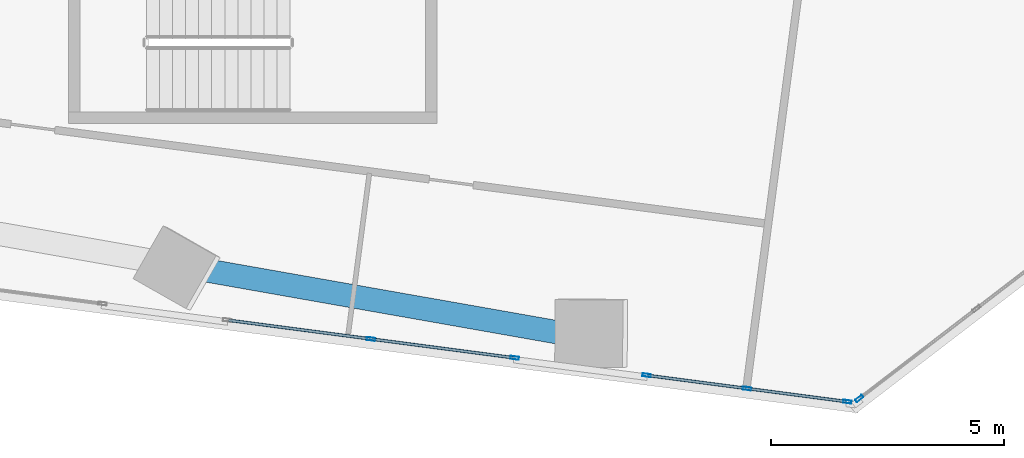
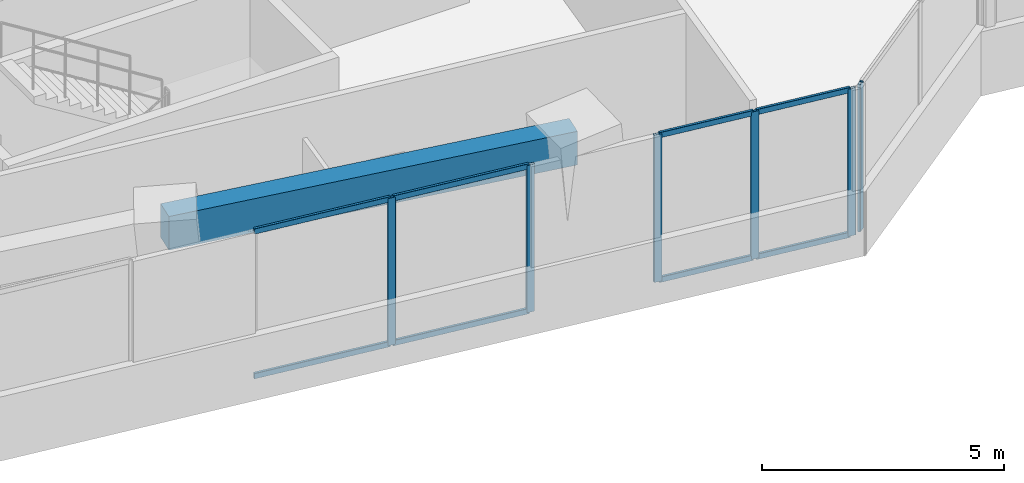
# One storey, part 4 of 24: 14 members, 1 beam, 3 elements without a shape of their own.
"""IFC4 building model written with IfcOpenShell, lengths in metres."""

from ifc_helpers import new_model, si_unit, direction, frame, origin, origin_2d, place, context, subcontext, project, spatial, rectangle, hollow_rectangle, extrude, source, transform, mapped, material, material_profile, profile_set, type_object, element, aggregate, save


model = new_model("IFC4")

# Units and contexts
model_context = context("Model", 3, precision=1e-05, world=origin(), true_north=direction((0.0, 1.0)))
body_context = subcontext(model_context, "Body", "Model", "MODEL_VIEW")
ifc_project = project(units=[si_unit("LENGTHUNIT", "METRE"), si_unit("AREAUNIT", "SQUARE_METRE"), si_unit("VOLUMEUNIT", "CUBIC_METRE"), si_unit("PLANEANGLEUNIT", "RADIAN"), si_unit("MASSUNIT", "GRAM", prefix="KILO")], contexts=[model_context])

# Site, building, storey
site_placement = place(None, origin())
site = spatial("IfcSite", under=ifc_project, at=site_placement, CompositionType="ELEMENT")
building_placement = place(site_placement, origin())
building = spatial("IfcBuilding", under=site, at=building_placement, Name="Torre Montelarca", CompositionType="ELEMENT")
storey_placement = place(building_placement, frame((0.0, 0.0, 70.60009765625)))
storey = spatial("IfcBuildingStorey", under=building, at=storey_placement, Name="L15", CompositionType="ELEMENT", Elevation=70.60009765625)

# Beam
ifc_material_1 = material(Name="Concrete C55/67", Category="concrete")
ifc_material_profile_1 = material_profile(ifc_material_1, rectangle(XDim=0.5, YDim=0.85009765625, at=origin_2d()), Name="RCB500X850", Category="concrete")
ifc_profile_set_1 = profile_set([ifc_material_profile_1], Name="Concrete C55/67")
beam_type = type_object("IfcBeamType", Name="BM-SP-RC850-EXT", PredefinedType="SPANDREL", material=ifc_profile_set_1)
shared_shape_1 = source(origin(), body_context, "Body", "SweptSolid", [
    extrude(rectangle(XDim=0.5, YDim=0.85009765625, at=origin_2d()), origin(), (0.0, 0.0, 1.0), 9.0),
])
beam_placement = place(storey_placement, frame((15.06640625, 15.669189453125, 3.534912109375), z_axis=(0.98480485219, -0.173664628243, 0.0), x_axis=(0.173664628243, 0.98480485219, 0.0)))
element("IfcBeam", 1, at=beam_placement, inside=storey, type_object=beam_type, Name="L15 Grid Girder X 18.0-27.0 at Y=14.8", PredefinedType="SPANDREL", context=body_context, shape_type="MappedRepresentation", body=[
    mapped(shared_shape_1, transform((0.0, 0.0, 0.0), scale=1.0)),
])

# Curtain wall, members
ifc_material_2 = material(Name="Insulated low-E laminated glass", Category="glass")
curtain_wall_type = type_object("IfcCurtainWallType", Name="CW-SYS-Z1", PredefinedType="USERDEFINED", material=ifc_material_2)
curtain_wall_1_placement = place(storey_placement, origin())
curtain_wall_1 = element("IfcCurtainWall", 2, at=curtain_wall_1_placement, inside=storey, type_object=curtain_wall_type, Name="L15 Curtain Wall Run CW-T3-L15-E01-B2", ObjectType="UNITISED GLAZING", PredefinedType="USERDEFINED")
ifc_material_3 = material(Name="Anodised aluminium AA 6063-T6", Category="aluminium")
ifc_material_profile_2 = material_profile(ifc_material_3, hollow_rectangle(XDim=0.06494140625, YDim=0.139892578125, WallThickness=0.00390625, InnerFilletRadius=0.00390625, OuterFilletRadius=0.008056640625, at=origin_2d()), Name="ALU65X140X4", Category="aluminium")
ifc_profile_set_2 = profile_set([ifc_material_profile_2], Name="Anodised aluminium AA 6063-T6")
member_type_1 = type_object("IfcMemberType", Name="CWT-ALU140", PredefinedType="USERDEFINED", material=ifc_profile_set_2)
shared_shape_2 = source(origin(), body_context, "Body", "SweptSolid", [
    extrude(hollow_rectangle(XDim=0.06494140625, YDim=0.139892578125, WallThickness=0.00390625, InnerFilletRadius=0.00390625, OuterFilletRadius=0.008056640625, at=origin_2d()), origin(), (0.0, 0.0, 1.0), 3.04443359375),
])
member_1_placement = place(storey_placement, frame((19.56787109375, 14.028564453125, 0.032470703125), z_axis=(0.991440915533, -0.130556160357, 0.0), x_axis=(0.130556160357, 0.991440915533, 0.0)))
member_1 = element("IfcMember", 3, at=member_1_placement, type_object=member_type_1, Name="CW transom 2.1", ObjectType="TRANSOM", PredefinedType="USERDEFINED", context=body_context, shape_type="MappedRepresentation", body=[
    mapped(shared_shape_2, transform((0.0, 0.0, 0.0), scale=1.0)),
])
member_2_placement = place(storey_placement, frame((19.56787109375, 14.028564453125, 3.6875), z_axis=(0.991440915533, -0.130556160357, 0.0), x_axis=(0.130556160357, 0.991440915533, 0.0)))
member_2 = element("IfcMember", 4, at=member_2_placement, type_object=member_type_1, Name="CW transom 2.2", ObjectType="TRANSOM", PredefinedType="USERDEFINED", context=body_context, shape_type="MappedRepresentation", body=[
    mapped(shared_shape_2, transform((0.0, 0.0, 0.0), scale=1.0)),
])

curtain_wall_2_placement = place(storey_placement, origin())
curtain_wall_2 = element("IfcCurtainWall", 5, at=curtain_wall_2_placement, inside=storey, type_object=curtain_wall_type, Name="L15 Curtain Wall Run CW-T3-L15-E01-B3", ObjectType="UNITISED GLAZING", PredefinedType="USERDEFINED")
shared_shape_3 = source(origin(), body_context, "Body", "SweptSolid", [
    extrude(hollow_rectangle(XDim=0.06494140625, YDim=0.139892578125, WallThickness=0.00390625, InnerFilletRadius=0.00390625, OuterFilletRadius=0.008056640625, at=origin_2d()), origin(), (0.0, 0.0, 1.0), 2.10546875),
])
member_3_placement = place(storey_placement, frame((25.480224609375, 13.25, 0.032470703125), z_axis=(0.991454295543, -0.130454512571, 0.0), x_axis=(0.130454512571, 0.991454295543, 0.0)))
member_3 = element("IfcMember", 6, at=member_3_placement, type_object=member_type_1, Name="CW transom 1.1", ObjectType="TRANSOM", PredefinedType="USERDEFINED", context=body_context, shape_type="MappedRepresentation", body=[
    mapped(shared_shape_3, transform((0.0, 0.0, 0.0), scale=1.0)),
])
member_4_placement = place(storey_placement, frame((25.480224609375, 13.25, 3.6875), z_axis=(0.991454295543, -0.130454512571, 0.0), x_axis=(0.130454512571, 0.991454295543, 0.0)))
member_4 = element("IfcMember", 7, at=member_4_placement, type_object=member_type_1, Name="CW transom 1.2", ObjectType="TRANSOM", PredefinedType="USERDEFINED", context=body_context, shape_type="MappedRepresentation", body=[
    mapped(shared_shape_3, transform((0.0, 0.0, 0.0), scale=1.0)),
])
shared_shape_4 = source(origin(), body_context, "Body", "SweptSolid", [
    extrude(hollow_rectangle(XDim=0.06494140625, YDim=0.139892578125, WallThickness=0.00390625, InnerFilletRadius=0.00390625, OuterFilletRadius=0.008056640625, at=origin_2d()), origin(), (0.0, 0.0, 1.0), 2.105224609375),
])
member_5_placement = place(storey_placement, frame((27.632080078125, 12.966796875, 0.032470703125), z_axis=(0.991452321758, -0.130469512455, 0.0), x_axis=(0.130469512455, 0.991452321758, 0.0)))
member_5 = element("IfcMember", 8, at=member_5_placement, type_object=member_type_1, Name="CW transom 2.1", ObjectType="TRANSOM", PredefinedType="USERDEFINED", context=body_context, shape_type="MappedRepresentation", body=[
    mapped(shared_shape_4, transform((0.0, 0.0, 0.0), scale=1.0)),
])
member_6_placement = place(storey_placement, frame((27.632080078125, 12.966796875, 3.6875), z_axis=(0.991452321758, -0.130469512455, 0.0), x_axis=(0.130469512455, 0.991452321758, 0.0)))
member_6 = element("IfcMember", 9, at=member_6_placement, type_object=member_type_1, Name="CW transom 2.2", ObjectType="TRANSOM", PredefinedType="USERDEFINED", context=body_context, shape_type="MappedRepresentation", body=[
    mapped(shared_shape_4, transform((0.0, 0.0, 0.0), scale=1.0)),
])

# Member
ifc_material_profile_3 = material_profile(ifc_material_3, hollow_rectangle(XDim=0.06494140625, YDim=0.179931640625, WallThickness=0.00390625, InnerFilletRadius=0.00390625, OuterFilletRadius=0.008056640625, at=origin_2d()), Name="ALU65X180X4", Category="aluminium")
ifc_profile_set_3 = profile_set([ifc_material_profile_3], Name="Anodised aluminium AA 6063-T6")
member_type_2 = type_object("IfcMemberType", Name="CWM-ALU180", PredefinedType="MULLION", material=ifc_profile_set_3)
shared_shape_5 = source(origin(), body_context, "Body", "SweptSolid", [
    extrude(hollow_rectangle(XDim=0.06494140625, YDim=0.179931640625, WallThickness=0.00390625, InnerFilletRadius=0.00390625, OuterFilletRadius=0.008056640625, at=origin_2d()), origin(), (0.0, 0.0, 1.0), 3.719970703125),
])
member_7_placement = place(storey_placement, frame((19.53564453125, 14.03271484375, 0.0), z_axis=(0.0, 0.0, 1.0), x_axis=(0.130524905583, 0.991445030762, 0.0)))
member_7 = element("IfcMember", 10, at=member_7_placement, type_object=member_type_2, Name="CW mullion 2", PredefinedType="MULLION", context=body_context, shape_type="MappedRepresentation", body=[
    mapped(shared_shape_5, transform((0.0, 0.0, 0.0), scale=1.0)),
])

member_8_placement = place(storey_placement, frame((22.618408203125, 13.626953125, 0.0), z_axis=(0.0, 0.0, 1.0), x_axis=(0.130524905583, 0.991445030762, 0.0)))
member_8 = element("IfcMember", 11, at=member_8_placement, type_object=member_type_2, Name="CW mullion 3", PredefinedType="MULLION", context=body_context, shape_type="MappedRepresentation", body=[
    mapped(shared_shape_5, transform((0.0, 0.0, 0.0), scale=1.0)),
])

member_9_placement = place(storey_placement, frame((25.447998046875, 13.25439453125, 0.0), z_axis=(0.0, 0.0, 1.0), x_axis=(0.130513227256, 0.991446568157, 0.0)))
member_9 = element("IfcMember", 12, at=member_9_placement, type_object=member_type_2, Name="CW mullion 1", PredefinedType="MULLION", context=body_context, shape_type="MappedRepresentation", body=[
    mapped(shared_shape_5, transform((0.0, 0.0, 0.0), scale=1.0)),
])

member_10_placement = place(storey_placement, frame((27.599853515625, 12.97119140625, 0.0), z_axis=(0.0, 0.0, 1.0), x_axis=(0.130513227256, 0.991446568157, 0.0)))
member_10 = element("IfcMember", 13, at=member_10_placement, type_object=member_type_2, Name="CW mullion 2", PredefinedType="MULLION", context=body_context, shape_type="MappedRepresentation", body=[
    mapped(shared_shape_5, transform((0.0, 0.0, 0.0), scale=1.0)),
])

member_11_placement = place(storey_placement, frame((29.75146484375, 12.687744140625, 0.0), z_axis=(0.0, 0.0, 1.0), x_axis=(0.130513227256, 0.991446568157, 0.0)))
member_11 = element("IfcMember", 14, at=member_11_placement, type_object=member_type_2, Name="CW mullion 3", PredefinedType="MULLION", context=body_context, shape_type="MappedRepresentation", body=[
    mapped(shared_shape_5, transform((0.0, 0.0, 0.0), scale=1.0)),
])

aggregate(curtain_wall_2, [member_9, member_10, member_11, member_3, member_4, member_5, member_6])

# Curtain wall, member
curtain_wall_3_placement = place(storey_placement, origin())
curtain_wall_3 = element("IfcCurtainWall", 15, at=curtain_wall_3_placement, inside=storey, type_object=curtain_wall_type, Name="L15 Curtain Wall Run CW-T3-L15-E02-B1", ObjectType="UNITISED GLAZING", PredefinedType="USERDEFINED")
member_12_placement = place(storey_placement, frame((30.00927734375, 12.7568359375, 0.0), z_axis=(0.0, 0.0, 1.0), x_axis=(-0.608756578814, 0.793357061953, 0.0)))
member_12 = element("IfcMember", 16, at=member_12_placement, type_object=member_type_2, Name="CW mullion 1", PredefinedType="MULLION", context=body_context, shape_type="MappedRepresentation", body=[
    mapped(shared_shape_5, transform((0.0, 0.0, 0.0), scale=1.0)),
])
aggregate(curtain_wall_3, [member_12])

# Member
shared_shape_6 = source(origin(), body_context, "Body", "SweptSolid", [
    extrude(hollow_rectangle(XDim=0.06494140625, YDim=0.139892578125, WallThickness=0.00390625, InnerFilletRadius=0.00390625, OuterFilletRadius=0.008056640625, at=origin_2d()), origin(), (0.0, 0.0, 1.0), 3.044677734375),
])
member_13_placement = place(storey_placement, frame((16.48486328125, 14.434326171875, 0.032470703125), z_axis=(0.991442282273, -0.13054578094, 0.0), x_axis=(0.13054578094, 0.991442282273, 0.0)))
member_13 = element("IfcMember", 17, at=member_13_placement, type_object=member_type_1, Name="CW transom 1.1", ObjectType="TRANSOM", PredefinedType="USERDEFINED", context=body_context, shape_type="MappedRepresentation", body=[
    mapped(shared_shape_6, transform((0.0, 0.0, 0.0), scale=1.0)),
])

member_14_placement = place(storey_placement, frame((16.48486328125, 14.434326171875, 3.6875), z_axis=(0.991442282273, -0.13054578094, 0.0), x_axis=(0.13054578094, 0.991442282273, 0.0)))
member_14 = element("IfcMember", 18, at=member_14_placement, type_object=member_type_1, Name="CW transom 1.2", ObjectType="TRANSOM", PredefinedType="USERDEFINED", context=body_context, shape_type="MappedRepresentation", body=[
    mapped(shared_shape_6, transform((0.0, 0.0, 0.0), scale=1.0)),
])

aggregate(curtain_wall_1, [member_7, member_8, member_13, member_14, member_1, member_2])

save(model, "model.ifc")
